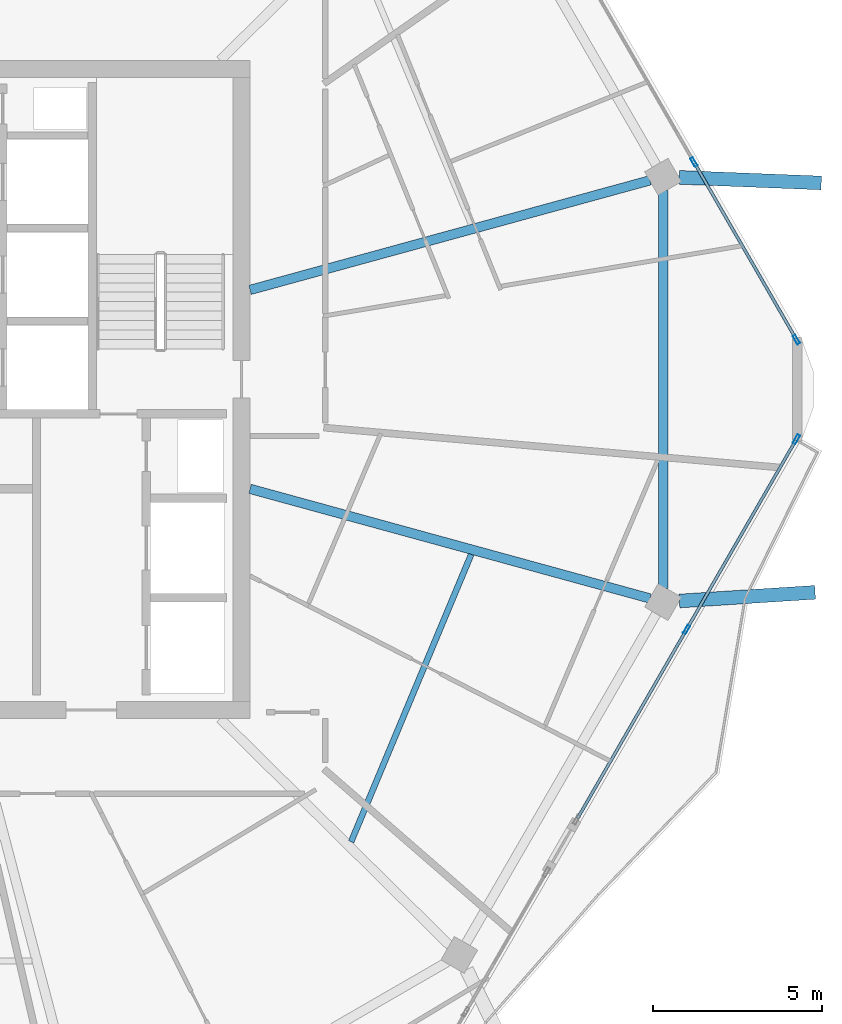
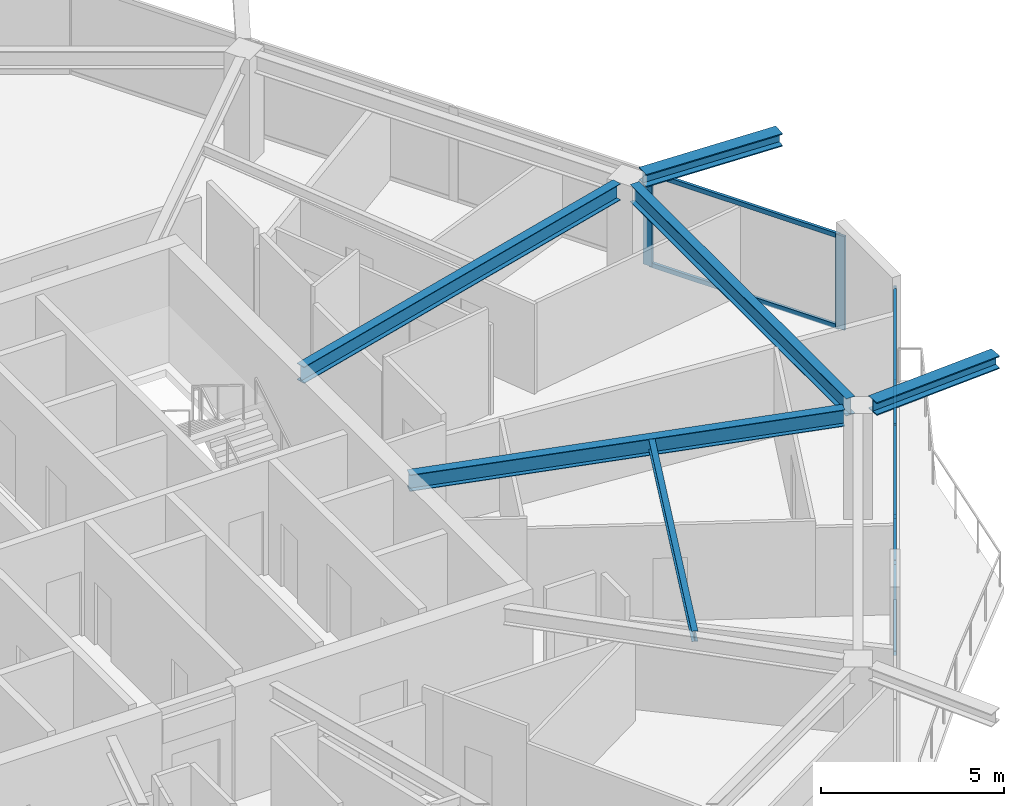
# One storey, part 6 of 19: 10 members, 6 beams, 2 elements without a shape of their own.
"""IFC4 building model written with IfcOpenShell, lengths in metres."""

from ifc_helpers import new_model, si_unit, direction, frame, origin, origin_2d, place, context, subcontext, project, spatial, hollow_rectangle, i_section, extrude, material, material_profile, profile_set, type_object, element, aggregate, save


model = new_model("IFC4")

# Units and contexts
model_context = context("Model", 3, precision=1e-05, world=origin(), true_north=direction((0.0, 1.0)))
body_context = subcontext(model_context, "Body", "Model", "MODEL_VIEW")
ifc_project = project(units=[si_unit("LENGTHUNIT", "METRE"), si_unit("AREAUNIT", "SQUARE_METRE"), si_unit("VOLUMEUNIT", "CUBIC_METRE"), si_unit("PLANEANGLEUNIT", "RADIAN"), si_unit("MASSUNIT", "GRAM", prefix="KILO")], contexts=[model_context])

# Site, building, storey
site_placement = place(None, origin())
site = spatial("IfcSite", under=ifc_project, at=site_placement, CompositionType="ELEMENT")
building_placement = place(site_placement, origin())
building = spatial("IfcBuilding", under=site, at=building_placement, Name="Zuhravey Tower", CompositionType="ELEMENT")
storey_placement = place(building_placement, frame((0.0, 0.0, 327.199951171875)))
storey = spatial("IfcBuildingStorey", under=building, at=storey_placement, Name="L83", CompositionType="ELEMENT", Elevation=327.199951171875)

# Curtain wall, members
ifc_material_1 = material(Name="Thermally broken anodised aluminium", Category="aluminium")
curtain_wall_type = type_object("IfcCurtainWallType", Name="Zone 3-4 High-Rise Curtain Wall CW4", PredefinedType="NOTDEFINED", material=ifc_material_1)
curtain_wall_1_placement = place(storey_placement, origin())
curtain_wall_1 = element("IfcCurtainWall", 1, at=curtain_wall_1_placement, inside=storey, type_object=curtain_wall_type, Name="L83 CW4 CW-L83-F6-1", PredefinedType="NOTDEFINED")
ifc_material_2 = material(Name="Anodised aluminium", Category="aluminium")
ifc_material_profile_1 = material_profile(ifc_material_2, hollow_rectangle(XDim=0.090087890625, YDim=0.284912109375, WallThickness=0.0048828125, at=origin_2d()), Name="ALU-RHS-90x285x5")
ifc_profile_set_1 = profile_set([ifc_material_profile_1], Name="Anodised aluminium")
member_type_1 = type_object("IfcMemberType", Name="Curtain-Wall Mullion 90x180", PredefinedType="MULLION", material=ifc_profile_set_1)
member_1_placement = place(storey_placement, frame((62.94580078125, 30.5234375, 0.0), z_axis=(0.0, 0.0, 1.0), x_axis=(0.866027278532, -0.499996752827, 0.0)))
member_1 = element("IfcMember", 2, at=member_1_placement, type_object=member_type_1, Name="CW4 mullion 1", PredefinedType="MULLION", context=body_context, shape_type="SweptSolid", body=[
    extrude(hollow_rectangle(XDim=0.090087890625, YDim=0.284912109375, WallThickness=0.0048828125, at=origin_2d()), origin(), (0.0, 0.0, 1.0), 3.1220703125),
])
member_2_placement = place(storey_placement, frame((59.68896484375, 24.882568359375, 0.0), z_axis=(0.0, 0.0, 1.0), x_axis=(0.866027278532, -0.499996752827, 0.0)))
member_2 = element("IfcMember", 3, at=member_2_placement, type_object=member_type_1, Name="CW4 mullion 2", PredefinedType="MULLION", context=body_context, shape_type="SweptSolid", body=[
    extrude(hollow_rectangle(XDim=0.090087890625, YDim=0.284912109375, WallThickness=0.0048828125, at=origin_2d()), origin(), (0.0, 0.0, 1.0), 3.1220703125),
])

curtain_wall_2_placement = place(storey_placement, origin())
curtain_wall_2 = element("IfcCurtainWall", 4, at=curtain_wall_2_placement, inside=storey, type_object=curtain_wall_type, Name="L83 CW4 CW-L83-F1-1", PredefinedType="NOTDEFINED")
member_3_placement = place(storey_placement, frame((59.90869140625, 38.7373046875, 0.0), z_axis=(0.0, 0.0, 1.0), x_axis=(0.866025511541, 0.49999981336, 0.0)))
member_3 = element("IfcMember", 5, at=member_3_placement, type_object=member_type_1, Name="CW4 mullion 4", PredefinedType="MULLION", context=body_context, shape_type="SweptSolid", body=[
    extrude(hollow_rectangle(XDim=0.090087890625, YDim=0.284912109375, WallThickness=0.0048828125, at=origin_2d()), origin(), (0.0, 0.0, 1.0), 3.1220703125),
])
member_4_placement = place(storey_placement, frame((62.94580078125, 33.4765625, 0.0), z_axis=(0.0, 0.0, 1.0), x_axis=(0.866025511541, 0.49999981336, 0.0)))
member_4 = element("IfcMember", 6, at=member_4_placement, type_object=member_type_1, Name="CW4 mullion 5", PredefinedType="MULLION", context=body_context, shape_type="SweptSolid", body=[
    extrude(hollow_rectangle(XDim=0.090087890625, YDim=0.284912109375, WallThickness=0.0048828125, at=origin_2d()), origin(), (0.0, 0.0, 1.0), 3.1220703125),
])

# Member
ifc_material_profile_2 = material_profile(ifc_material_2, hollow_rectangle(XDim=0.090087890625, YDim=0.14990234375, WallThickness=0.0048828125, at=origin_2d()), Name="ALU-RHS-90x150x5")
ifc_profile_set_2 = profile_set([ifc_material_profile_2], Name="Anodised aluminium")
member_type_2 = type_object("IfcMemberType", Name="Curtain-Wall Transom 90x150", PredefinedType="USERDEFINED", material=ifc_profile_set_2)
member_5_placement = place(storey_placement, frame((62.92333984375, 30.484619140625, 0.045166015625), z_axis=(-0.49996919816, -0.866043186505, 0.0), x_axis=(0.866043186505, -0.49996919816, 0.0)))
member_5 = element("IfcMember", 7, at=member_5_placement, type_object=member_type_2, Name="CW4 transom 1.1", ObjectType="TRANSOM", PredefinedType="USERDEFINED", context=body_context, shape_type="SweptSolid", body=[
    extrude(hollow_rectangle(XDim=0.090087890625, YDim=0.14990234375, WallThickness=0.0048828125, at=origin_2d()), origin(), (0.0, 0.0, 1.0), 6.423828125),
])

member_6_placement = place(storey_placement, frame((62.92333984375, 30.484619140625, 3.0771484375), z_axis=(-0.49996919816, -0.866043186505, 0.0), x_axis=(0.866043186505, -0.49996919816, 0.0)))
member_6 = element("IfcMember", 8, at=member_6_placement, type_object=member_type_2, Name="CW4 transom 1.2", ObjectType="TRANSOM", PredefinedType="USERDEFINED", context=body_context, shape_type="SweptSolid", body=[
    extrude(hollow_rectangle(XDim=0.090087890625, YDim=0.14990234375, WallThickness=0.0048828125, at=origin_2d()), origin(), (0.0, 0.0, 1.0), 6.423828125),
])

member_7_placement = place(storey_placement, frame((59.66650390625, 24.843505859375, 0.045166015625), z_axis=(-0.499997703033, -0.866026729935, 0.0), x_axis=(0.866026729935, -0.499997703033, 0.0)))
member_7 = element("IfcMember", 9, at=member_7_placement, type_object=member_type_2, Name="CW4 transom 2.1", ObjectType="TRANSOM", PredefinedType="USERDEFINED", context=body_context, shape_type="SweptSolid", body=[
    extrude(hollow_rectangle(XDim=0.090087890625, YDim=0.14990234375, WallThickness=0.0048828125, at=origin_2d()), origin(), (0.0, 0.0, 1.0), 6.423828125),
])

member_8_placement = place(storey_placement, frame((59.66650390625, 24.843505859375, 3.0771484375), z_axis=(-0.499997703033, -0.866026729935, 0.0), x_axis=(0.866026729935, -0.499997703033, 0.0)))
member_8 = element("IfcMember", 10, at=member_8_placement, type_object=member_type_2, Name="CW4 transom 2.2", ObjectType="TRANSOM", PredefinedType="USERDEFINED", context=body_context, shape_type="SweptSolid", body=[
    extrude(hollow_rectangle(XDim=0.090087890625, YDim=0.14990234375, WallThickness=0.0048828125, at=origin_2d()), origin(), (0.0, 0.0, 1.0), 6.423828125),
])

aggregate(curtain_wall_1, [member_1, member_2, member_5, member_6, member_7, member_8])

member_9_placement = place(storey_placement, frame((59.93115234375, 38.6982421875, 0.045166015625), z_axis=(0.499982594807, -0.866035452444, 0.0), x_axis=(0.866035452444, 0.499982594807, 0.0)))
member_9 = element("IfcMember", 11, at=member_9_placement, type_object=member_type_2, Name="CW4 transom 4.1", ObjectType="TRANSOM", PredefinedType="USERDEFINED", context=body_context, shape_type="SweptSolid", body=[
    extrude(hollow_rectangle(XDim=0.090087890625, YDim=0.14990234375, WallThickness=0.0048828125, at=origin_2d()), origin(), (0.0, 0.0, 1.0), 5.984619140625),
])

member_10_placement = place(storey_placement, frame((59.93115234375, 38.6982421875, 3.0771484375), z_axis=(0.499982594807, -0.866035452444, 0.0), x_axis=(0.866035452444, 0.499982594807, 0.0)))
member_10 = element("IfcMember", 12, at=member_10_placement, type_object=member_type_2, Name="CW4 transom 4.2", ObjectType="TRANSOM", PredefinedType="USERDEFINED", context=body_context, shape_type="SweptSolid", body=[
    extrude(hollow_rectangle(XDim=0.090087890625, YDim=0.14990234375, WallThickness=0.0048828125, at=origin_2d()), origin(), (0.0, 0.0, 1.0), 5.984619140625),
])

aggregate(curtain_wall_2, [member_3, member_4, member_9, member_10])

# Beams
ifc_material_3 = material(Name="Steel SM460", Category="steel")
ifc_material_profile_3 = material_profile(ifc_material_3, i_section(OverallWidth=0.406982421875, OverallDepth=0.427978515625, WebThickness=0.02001953125, FlangeThickness=0.034912109375, at=origin_2d()), Name="H-428x407x20x35")
ifc_profile_set_3 = profile_set([ifc_material_profile_3], Name="Steel SM460")
beam_type_1 = type_object("IfcBeamType", Name="Exoskeleton Node Tie Beam H428x407", PredefinedType="BEAM", material=ifc_profile_set_3)
beam_1_placement = place(storey_placement, frame((59.469970703125, 38.28369140625, 3.3359375), z_axis=(0.999232751182, -0.03916514987, 0.0), x_axis=(0.03916514987, 0.999232751182, 0.0)))
element("IfcBeam", 13, at=beam_1_placement, inside=storey, type_object=beam_type_1, Name="L83 Exoskeleton Node Tie NT1-01", PredefinedType="BEAM", context=body_context, shape_type="SweptSolid", body=[
    extrude(i_section(OverallWidth=0.406982421875, OverallDepth=0.427978515625, WebThickness=0.02001953125, FlangeThickness=0.034912109375, at=origin_2d()), origin(), (0.0, 0.0, 1.0), 4.2138671875),
])
beam_2_placement = place(storey_placement, frame((59.47705078125, 25.728515625, 3.3359375), z_axis=(0.997955458002, 0.063913252485, 0.0), x_axis=(-0.063913252485, 0.997955458002, 0.0)))
element("IfcBeam", 14, at=beam_2_placement, inside=storey, type_object=beam_type_1, Name="L83 Exoskeleton Node Tie NT1-12", PredefinedType="BEAM", context=body_context, shape_type="SweptSolid", body=[
    extrude(i_section(OverallWidth=0.406982421875, OverallDepth=0.427978515625, WebThickness=0.02001953125, FlangeThickness=0.034912109375, at=origin_2d()), origin(), (0.0, 0.0, 1.0), 4.030029296875),
])
ifc_material_4 = material(Name="Steel SM355", Category="steel")
ifc_material_profile_4 = material_profile(ifc_material_4, i_section(OverallWidth=0.280029296875, OverallDepth=0.580078125, WebThickness=0.011962890625, FlangeThickness=0.01904296875, at=origin_2d()), Name="H-580x280x12x19")
ifc_profile_set_4 = profile_set([ifc_material_profile_4], Name="Steel SM355")
beam_type_2 = type_object("IfcBeamType", Name="Perimeter Ring Beam H580x280", PredefinedType="BEAM", material=ifc_profile_set_4)
beam_3_placement = place(storey_placement, frame((58.993408203125, 26.1005859375, 3.260009765625), z_axis=(0.0, 1.0, 0.0), x_axis=(-1.0, 0.0, 0.0)))
element("IfcBeam", 15, at=beam_3_placement, inside=storey, type_object=beam_type_2, Name="L83 PB4 BM-L83-PB-12", PredefinedType="BEAM", context=body_context, shape_type="SweptSolid", body=[
    extrude(i_section(OverallWidth=0.280029296875, OverallDepth=0.580078125, WebThickness=0.011962890625, FlangeThickness=0.01904296875, at=origin_2d()), origin(), (0.0, 0.0, 1.0), 11.798828125),
])
ifc_material_profile_5 = material_profile(ifc_material_4, i_section(OverallWidth=0.280029296875, OverallDepth=0.550048828125, WebThickness=0.010986328125, FlangeThickness=0.01806640625, at=origin_2d()), Name="H-550x280x11x18")
ifc_profile_set_5 = profile_set([ifc_material_profile_5], Name="Steel SM355")
beam_type_3 = type_object("IfcBeamType", Name="Radial Primary Girder H550x280", PredefinedType="BEAM", material=ifc_profile_set_5)
for number, where, z_axis, x_axis, name in (
    (16, (46.7529296875, 34.947265625, 3.275146484375), (0.964427903067, 0.264346022829, 0.0), (-0.264346022829, 0.964427903067, 0.0), "L83 RG4 BM-L83-RAD-01"),
    (17, (46.7529296875, 29.052734375, 3.275146484375), (0.964427903067, -0.264346022829, 0.0), (0.264346022829, 0.964427903067, 0.0), "L83 RG4 BM-L83-RAD-12"),
):
    element("IfcBeam", number, at=place(storey_placement, frame(where, z_axis=z_axis, x_axis=x_axis)), inside=storey, type_object=beam_type_3, Name=name, PredefinedType="BEAM", context=body_context, shape_type="SweptSolid", body=[
        extrude(i_section(OverallWidth=0.280029296875, OverallDepth=0.550048828125, WebThickness=0.010986328125, FlangeThickness=0.01806640625, at=origin_2d()), origin(), (0.0, 0.0, 1.0), 12.2890625),
    ])
ifc_material_profile_6 = material_profile(ifc_material_4, i_section(OverallWidth=0.175048828125, OverallDepth=0.35009765625, WebThickness=0.007080078125, FlangeThickness=0.010986328125, at=origin_2d()), Name="H-350x175x7x11")
ifc_profile_set_6 = profile_set([ifc_material_profile_6], Name="Steel SM355")
beam_type_4 = type_object("IfcBeamType", Name="Secondary Floor Joist H350x175", PredefinedType="JOIST", material=ifc_profile_set_6)
beam_4_placement = place(storey_placement, frame((49.7490234375, 18.59521484375, 3.375), z_axis=(0.385657891576, 0.922641853953, 0.0), x_axis=(-0.922641853953, 0.385657891576, 0.0)))
element("IfcBeam", 18, at=beam_4_placement, inside=storey, type_object=beam_type_4, Name="L83 SJ3 BM-L83-SJ-11-1", PredefinedType="JOIST", context=body_context, shape_type="SweptSolid", body=[
    extrude(i_section(OverallWidth=0.175048828125, OverallDepth=0.35009765625, WebThickness=0.007080078125, FlangeThickness=0.010986328125, at=origin_2d()), origin(), (0.0, 0.0, 1.0), 9.226806640625),
])

save(model, "model.ifc")
